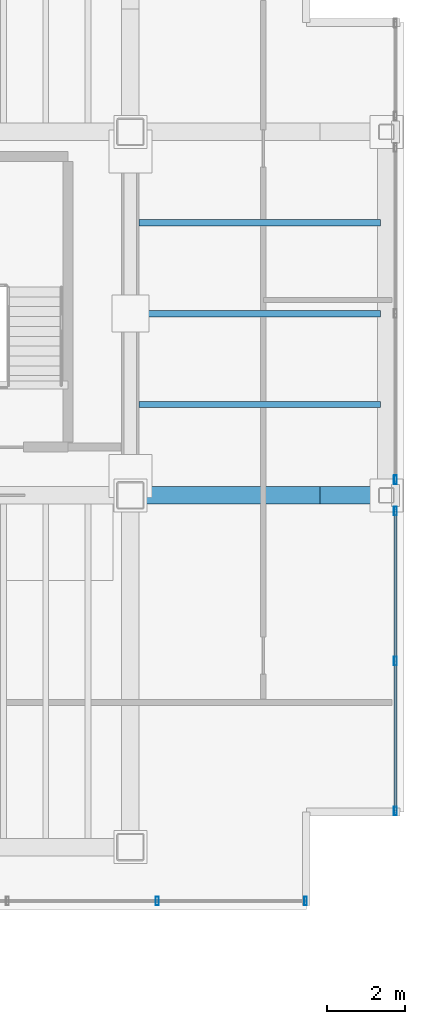
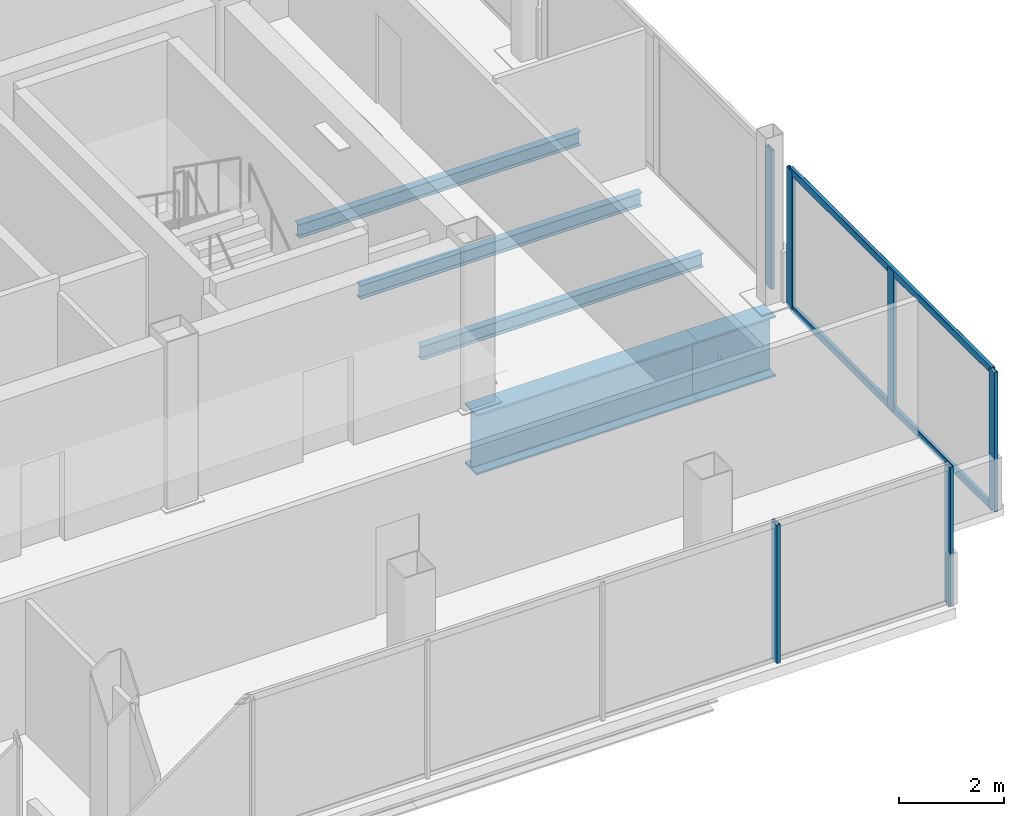
# One storey, part 12 of 17: 8 members, 5 beams, 3 elements without a shape of their own.
"""IFC4 building model written with IfcOpenShell, lengths in metres."""

from ifc_helpers import new_model, si_unit, direction, frame, origin, origin_2d, place, context, subcontext, project, spatial, hollow_rectangle, i_section, extrude, material, material_profile, profile_set, type_object, element, aggregate, save


model = new_model("IFC4")

# Units and contexts
model_context = context("Model", 3, precision=1e-05, world=origin(), true_north=direction((0.0, 1.0)))
body_context = subcontext(model_context, "Body", "Model", "MODEL_VIEW")
ifc_project = project(units=[si_unit("LENGTHUNIT", "METRE"), si_unit("AREAUNIT", "SQUARE_METRE"), si_unit("VOLUMEUNIT", "CUBIC_METRE"), si_unit("PLANEANGLEUNIT", "RADIAN"), si_unit("MASSUNIT", "GRAM", prefix="KILO")], contexts=[model_context])

# Site, building, storey
site_placement = place(None, origin())
site = spatial("IfcSite", under=ifc_project, at=site_placement, CompositionType="ELEMENT")
building_placement = place(site_placement, origin())
building = spatial("IfcBuilding", under=site, at=building_placement, Name="Noeulbin Bourse Tower", CompositionType="ELEMENT")
storey_placement = place(building_placement, frame((0.0, 0.0, 281.300048828125)))
storey = spatial("IfcBuildingStorey", under=building, at=storey_placement, Name="L70", CompositionType="ELEMENT", Elevation=281.300048828125)

# Beams
ifc_material_1 = material(Name="Steel S355", Category="steel")
ifc_material_profile_1 = material_profile(ifc_material_1, i_section(OverallWidth=0.159912109375, OverallDepth=0.320068359375, WebThickness=0.006591796875, FlangeThickness=0.010009765625, FilletRadius=0.012939453125, at=origin_2d()), Name="H-320x160x6.5x10", Category="LoadBearing")
ifc_profile_set_1 = profile_set([ifc_material_profile_1], Name="Steel S355")
beam_type_1 = type_object("IfcBeamType", Name="BM-JST-320", PredefinedType="JOIST", material=ifc_profile_set_1)
for number, where, z_axis, x_axis, name in (
    (1, (44.22509765625, 31.324951171875, -0.400146484375), (1.0, 0.0, 0.0), (0.0, 1.0, 0.0), "Wing Composite Joist L70-E31"),
    (2, (44.22509765625, 33.64990234375, -0.400146484375), (1.0, 0.0, 0.0), (0.0, 1.0, 0.0), "Wing Composite Joist L70-E32"),
    (3, (44.22509765625, 35.97509765625, -0.400146484375), (1.0, 0.0, 0.0), (0.0, 1.0, 0.0), "Wing Composite Joist L70-E33"),
):
    element("IfcBeam", number, at=place(storey_placement, frame(where, z_axis=z_axis, x_axis=x_axis)), inside=storey, type_object=beam_type_1, Name=name, PredefinedType="JOIST", context=body_context, shape_type="SweptSolid", body=[
        extrude(i_section(OverallWidth=0.159912109375, OverallDepth=0.320068359375, WebThickness=0.006591796875, FlangeThickness=0.010009765625, FilletRadius=0.012939453125, at=origin_2d()), origin(), (0.0, 0.0, 1.0), 6.1748046875),
    ])
ifc_material_2 = material(Name="Steel S460", Category="steel")
ifc_material_profile_2 = material_profile(ifc_material_2, i_section(OverallWidth=0.449951171875, OverallDepth=1.39990234375, WebThickness=0.02392578125, FlangeThickness=0.0400390625, FilletRadius=0.02392578125, at=origin_2d()), Name="PG-1400x450x24x40", Category="LoadBearing")
ifc_profile_set_2 = profile_set([ifc_material_profile_2], Name="Steel S460")
beam_type_2 = type_object("IfcBeamType", Name="BM-TRF-1400", PredefinedType="USERDEFINED", material=ifc_profile_set_2)
beam_1_placement = place(storey_placement, frame((44.0, 29.0, -0.93994140625), z_axis=(1.0, 0.0, 0.0), x_axis=(0.0, 1.0, 0.0)))
element("IfcBeam", 4, at=beam_1_placement, inside=storey, type_object=beam_type_2, Name="Tower Primary Girder EW L70-2.5", ObjectType="GIRDER", PredefinedType="USERDEFINED", context=body_context, shape_type="SweptSolid", body=[
    extrude(i_section(OverallWidth=0.449951171875, OverallDepth=1.39990234375, WebThickness=0.02392578125, FlangeThickness=0.0400390625, FilletRadius=0.02392578125, at=origin_2d()), origin(), (0.0, 0.0, 1.0), 4.85009765625),
])
beam_2_placement = place(storey_placement, frame((48.85009765625, 29.0, -0.93994140625), z_axis=(1.0, 0.0, 0.0), x_axis=(0.0, 1.0, 0.0)))
element("IfcBeam", 5, at=beam_2_placement, inside=storey, type_object=beam_type_2, Name="Tower Primary Girder EW L70-2.6", ObjectType="GIRDER", PredefinedType="USERDEFINED", context=body_context, shape_type="SweptSolid", body=[
    extrude(i_section(OverallWidth=0.449951171875, OverallDepth=1.39990234375, WebThickness=0.02392578125, FlangeThickness=0.0400390625, FilletRadius=0.02392578125, at=origin_2d()), origin(), (0.0, 0.0, 1.0), 1.699951171875),
])

# Curtain wall, members
ifc_material_3 = material(Name="High-Selectivity Low-Iron Glazing", Category="glass")
curtain_wall_type = type_object("IfcCurtainWallType", Name="CW-SYS-4", PredefinedType="NOTDEFINED", material=ifc_material_3)
curtain_wall_1_placement = place(storey_placement, origin())
curtain_wall_1 = element("IfcCurtainWall", 6, at=curtain_wall_1_placement, inside=storey, type_object=curtain_wall_type, Name="Unitised Curtain Wall CW-L70-S3", PredefinedType="NOTDEFINED")
ifc_material_4 = material(Name="Anodised Aluminium 6063-T6", Category="aluminium")
ifc_material_profile_3 = material_profile(ifc_material_4, hollow_rectangle(XDim=0.074951171875, YDim=0.219970703125, WallThickness=0.0048828125, InnerFilletRadius=0.00244140625, OuterFilletRadius=0.0048828125, at=origin_2d()), Name="ALU-MULL-75x220x5", Category="LoadBearing")
ifc_profile_set_3 = profile_set([ifc_material_profile_3], Name="Anodised Aluminium 6063-T6")
member_type_1 = type_object("IfcMemberType", Name="CW-SYS-4-MUL", PredefinedType="MULLION", material=ifc_profile_set_3)
member_1_placement = place(storey_placement, frame((44.68603515625, 18.6201171875, -0.02001953125), z_axis=(0.0, 0.0, 1.0), x_axis=(1.0, 0.0, 0.0)))
member_1 = element("IfcMember", 7, at=member_1_placement, type_object=member_type_1, Name="Curtain Wall Mullion CW-L70-S3-M04", PredefinedType="MULLION", context=body_context, shape_type="SweptSolid", body=[
    extrude(hollow_rectangle(XDim=0.074951171875, YDim=0.219970703125, WallThickness=0.0048828125, InnerFilletRadius=0.00244140625, OuterFilletRadius=0.0048828125, at=origin_2d()), origin(), (0.0, 0.0, 1.0), 3.219970703125),
])
member_2_placement = place(storey_placement, frame((48.47998046875, 18.6201171875, -0.02001953125), z_axis=(0.0, 0.0, 1.0), x_axis=(1.0, 0.0, 0.0)))
member_2 = element("IfcMember", 8, at=member_2_placement, type_object=member_type_1, Name="Curtain Wall Mullion CW-L70-S3-M05", PredefinedType="MULLION", context=body_context, shape_type="SweptSolid", body=[
    extrude(hollow_rectangle(XDim=0.074951171875, YDim=0.219970703125, WallThickness=0.0048828125, InnerFilletRadius=0.00244140625, OuterFilletRadius=0.0048828125, at=origin_2d()), origin(), (0.0, 0.0, 1.0), 3.219970703125),
])
aggregate(curtain_wall_1, [member_1, member_2])

curtain_wall_2_placement = place(storey_placement, origin())
curtain_wall_2 = element("IfcCurtainWall", 9, at=curtain_wall_2_placement, inside=storey, type_object=curtain_wall_type, Name="Unitised Curtain Wall CW-L70-E-S1", PredefinedType="NOTDEFINED")
member_3_placement = place(storey_placement, frame((50.780029296875, 20.919921875, -0.02001953125), z_axis=(0.0, 0.0, 1.0), x_axis=(1.0, 0.0, 0.0)))
member_3 = element("IfcMember", 10, at=member_3_placement, type_object=member_type_1, Name="Curtain Wall Mullion CW-L70-E-S1-M00", PredefinedType="MULLION", context=body_context, shape_type="SweptSolid", body=[
    extrude(hollow_rectangle(XDim=0.074951171875, YDim=0.219970703125, WallThickness=0.0048828125, InnerFilletRadius=0.00244140625, OuterFilletRadius=0.0048828125, at=origin_2d()), origin(), (0.0, 0.0, 1.0), 3.219970703125),
])
member_4_placement = place(storey_placement, frame((50.780029296875, 24.760009765625, -0.02001953125), z_axis=(0.0, 0.0, 1.0), x_axis=(1.0, 0.0, 0.0)))
member_4 = element("IfcMember", 11, at=member_4_placement, type_object=member_type_1, Name="Curtain Wall Mullion CW-L70-E-S1-M01", PredefinedType="MULLION", context=body_context, shape_type="SweptSolid", body=[
    extrude(hollow_rectangle(XDim=0.074951171875, YDim=0.219970703125, WallThickness=0.0048828125, InnerFilletRadius=0.00244140625, OuterFilletRadius=0.0048828125, at=origin_2d()), origin(), (0.0, 0.0, 1.0), 3.219970703125),
])
member_5_placement = place(storey_placement, frame((50.780029296875, 28.60009765625, -0.02001953125), z_axis=(0.0, 0.0, 1.0), x_axis=(1.0, 0.0, 0.0)))
member_5 = element("IfcMember", 12, at=member_5_placement, type_object=member_type_1, Name="Curtain Wall Mullion CW-L70-E-S1-M02", PredefinedType="MULLION", context=body_context, shape_type="SweptSolid", body=[
    extrude(hollow_rectangle(XDim=0.074951171875, YDim=0.219970703125, WallThickness=0.0048828125, InnerFilletRadius=0.00244140625, OuterFilletRadius=0.0048828125, at=origin_2d()), origin(), (0.0, 0.0, 1.0), 3.219970703125),
])

# Curtain wall, member
curtain_wall_3_placement = place(storey_placement, origin())
curtain_wall_3 = element("IfcCurtainWall", 13, at=curtain_wall_3_placement, inside=storey, type_object=curtain_wall_type, Name="Unitised Curtain Wall CW-L70-E-S2", PredefinedType="NOTDEFINED")
member_6_placement = place(storey_placement, frame((50.780029296875, 29.39990234375, -0.02001953125), z_axis=(0.0, 0.0, 1.0), x_axis=(1.0, 0.0, 0.0)))
member_6 = element("IfcMember", 14, at=member_6_placement, type_object=member_type_1, Name="Curtain Wall Mullion CW-L70-E-S2-M00", PredefinedType="MULLION", context=body_context, shape_type="SweptSolid", body=[
    extrude(hollow_rectangle(XDim=0.074951171875, YDim=0.219970703125, WallThickness=0.0048828125, InnerFilletRadius=0.00244140625, OuterFilletRadius=0.0048828125, at=origin_2d()), origin(), (0.0, 0.0, 1.0), 3.219970703125),
])
aggregate(curtain_wall_3, [member_6])

# Member
ifc_material_profile_4 = material_profile(ifc_material_4, hollow_rectangle(XDim=0.074951171875, YDim=0.159912109375, WallThickness=0.0048828125, InnerFilletRadius=0.00244140625, OuterFilletRadius=0.0048828125, at=origin_2d()), Name="ALU-TRAN-75x160x5", Category="LoadBearing")
ifc_profile_set_4 = profile_set([ifc_material_profile_4], Name="Anodised Aluminium 6063-T6")
member_type_2 = type_object("IfcMemberType", Name="CW-SYS-4-TRN", PredefinedType="USERDEFINED", material=ifc_profile_set_4)
member_7_placement = place(storey_placement, frame((50.780029296875, 20.929931640625, 0.010009765625), z_axis=(0.0, 1.0, 0.0), x_axis=(-1.0, 0.0, 0.0)))
member_7 = element("IfcMember", 15, at=member_7_placement, type_object=member_type_2, Name="Curtain Wall Transom CW-L70-E-S1-T00", ObjectType="TRANSOM", PredefinedType="USERDEFINED", context=body_context, shape_type="SweptSolid", body=[
    extrude(hollow_rectangle(XDim=0.074951171875, YDim=0.159912109375, WallThickness=0.0048828125, InnerFilletRadius=0.00244140625, OuterFilletRadius=0.0048828125, at=origin_2d()), origin(), (0.0, 0.0, 1.0), 7.66015625),
])

member_8_placement = place(storey_placement, frame((50.780029296875, 20.929931640625, 3.169921875), z_axis=(0.0, 1.0, 0.0), x_axis=(-1.0, 0.0, 0.0)))
member_8 = element("IfcMember", 16, at=member_8_placement, type_object=member_type_2, Name="Curtain Wall Transom CW-L70-E-S1-T01", ObjectType="TRANSOM", PredefinedType="USERDEFINED", context=body_context, shape_type="SweptSolid", body=[
    extrude(hollow_rectangle(XDim=0.074951171875, YDim=0.159912109375, WallThickness=0.0048828125, InnerFilletRadius=0.00244140625, OuterFilletRadius=0.0048828125, at=origin_2d()), origin(), (0.0, 0.0, 1.0), 7.66015625),
])

aggregate(curtain_wall_2, [member_3, member_4, member_5, member_7, member_8])

save(model, "model.ifc")
